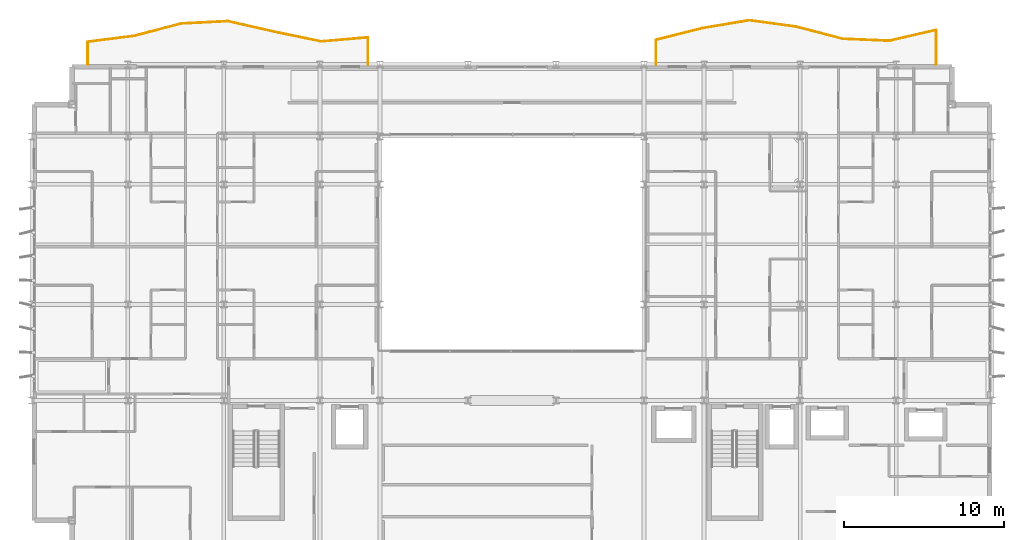
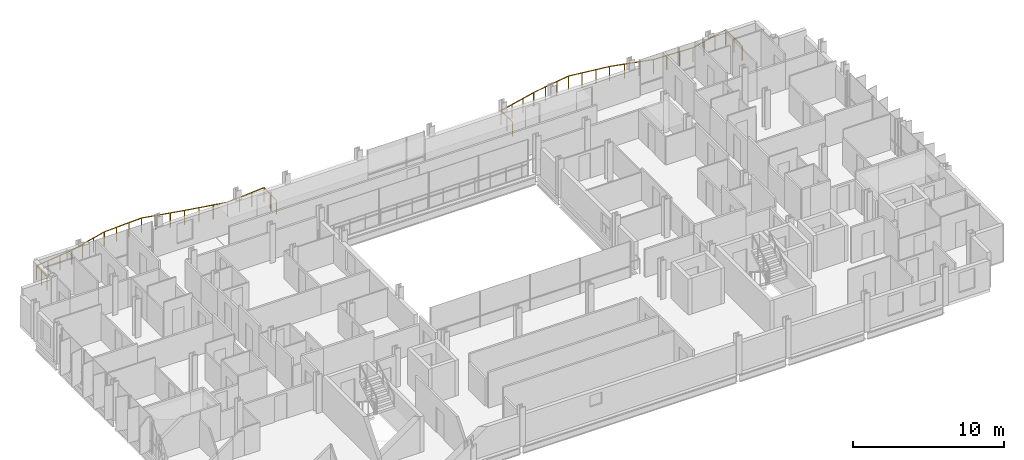
# One storey, part 39 of 39: 2 railings.
"""IFC4 building model written with IfcOpenShell, lengths in metres."""

from ifc_helpers import new_model, si_unit, direction, frame, origin, origin_2d, place, context, subcontext, project, spatial, circle, extrude, material, type_object, element, save


model = new_model("IFC4")

# Units and contexts
model_context = context("Model", 3, precision=1e-05, world=origin(), true_north=direction((0.0, 1.0)))
body_context = subcontext(model_context, "Body", "Model", "MODEL_VIEW")
ifc_project = project(units=[si_unit("LENGTHUNIT", "METRE"), si_unit("AREAUNIT", "SQUARE_METRE"), si_unit("VOLUMEUNIT", "CUBIC_METRE"), si_unit("PLANEANGLEUNIT", "RADIAN"), si_unit("MASSUNIT", "GRAM", prefix="KILO")], contexts=[model_context])

# Site, building, storey
site_placement = place(None, origin())
site = spatial("IfcSite", under=ifc_project, at=site_placement, CompositionType="ELEMENT")
building_placement = place(site_placement, origin())
building = spatial("IfcBuilding", under=site, at=building_placement, Name="Brevholm Reach", CompositionType="ELEMENT")
storey_placement = place(building_placement, frame((0.0, 0.0, 115.89990234375)))
storey = spatial("IfcBuildingStorey", under=building, at=storey_placement, Name="L34", CompositionType="ELEMENT", Elevation=115.89990234375)

# Railings
ifc_material = material(Name="Brushed Stainless Steel EN 1.4401 and Laminated Glass", Category="steel")
railing_type = type_object("IfcRailingType", Name="RAL-BALC-1150", PredefinedType="BALUSTRADE", material=ifc_material)
railing_1_placement = place(storey_placement, frame((56.5, 31.0, 0.0)))
element("IfcRailing", 1, at=railing_1_placement, inside=storey, type_object=railing_type, Name="L34 Guard Balustrade RAL-L34-BAL-NE", PredefinedType="BALUSTRADE", context=body_context, shape_type="SweptSolid", body=[
    extrude(circle(Radius=0.02392578125, at=origin_2d()), frame((0.0, 0.0, 1.1259765625), z_axis=(0.0, 1.0, 0.0), x_axis=(-1.0, 0.0, 0.0)), (0.0, 0.0, 1.0), 2.1455078125),
    extrude(circle(Radius=0.02392578125, at=origin_2d()), frame((0.0, 2.1455078125, 1.1259765625), z_axis=(-0.974086615793, -0.226175296912, 0.0), x_axis=(0.226175296912, -0.974086615793, 0.0)), (0.0, 0.0, 1.0), 2.994384765625),
    extrude(circle(Radius=0.02392578125, at=origin_2d()), frame((-2.916748046875, 1.46826171875, 1.1259765625), z_axis=(-0.999139150441, 0.041484431493, 0.0), x_axis=(-0.041484431493, -0.999139150441, 0.0)), (0.0, 0.0, 1.0), 2.9189453125),
    extrude(circle(Radius=0.02392578125, at=origin_2d()), frame((-5.833251953125, 1.58935546875, 1.1259765625), z_axis=(-0.967668860758, 0.252224058961, 0.0), x_axis=(-0.252224058961, -0.967668860758, 0.0)), (0.0, 0.0, 1.0), 3.01416015625),
    extrude(circle(Radius=0.02392578125, at=origin_2d()), frame((-8.75, 2.349609375, 1.1259765625), z_axis=(-0.990787222307, 0.135427767141, 0.0), x_axis=(-0.135427767141, -0.990787222307, 0.0)), (0.0, 0.0, 1.0), 2.94384765625),
    extrude(circle(Radius=0.02392578125, at=origin_2d()), frame((-11.666748046875, 2.748291015625, 1.1259765625), z_axis=(-0.986326897089, -0.164800643445, 0.0), x_axis=(0.164800643445, -0.986326897089, 0.0)), (0.0, 0.0, 1.0), 2.95703125),
    extrude(circle(Radius=0.02392578125, at=origin_2d()), frame((-14.583251953125, 2.260986328125, 1.1259765625), z_axis=(-0.969908046993, -0.243471518618, 0.0), x_axis=(0.243471518618, -0.969908046993, 0.0)), (0.0, 0.0, 1.0), 3.00732421875),
    extrude(circle(Radius=0.02392578125, at=origin_2d()), frame((-17.5, 1.52880859375, 1.1259765625), z_axis=(0.0, -1.0, 0.0), x_axis=(1.0, 0.0, 0.0)), (0.0, 0.0, 1.0), 1.52880859375),
    extrude(circle(Radius=0.02099609375, at=origin_2d()), origin(), (0.0, 0.0, 1.0), 1.101806640625),
    extrude(circle(Radius=0.02099609375, at=origin_2d()), frame((0.0, 1.07275390625, 0.0)), (0.0, 0.0, 1.0), 1.101806640625),
    extrude(circle(Radius=0.02099609375, at=origin_2d()), frame((0.0, 2.1455078125, 0.0)), (0.0, 0.0, 1.0), 1.101806640625),
    extrude(circle(Radius=0.02099609375, at=origin_2d()), frame((-0.97216796875, 1.919677734375, 0.0)), (0.0, 0.0, 1.0), 1.101806640625),
    extrude(circle(Radius=0.02099609375, at=origin_2d()), frame((-1.944580078125, 1.694091796875, 0.0)), (0.0, 0.0, 1.0), 1.101806640625),
    extrude(circle(Radius=0.02099609375, at=origin_2d()), frame((-2.916748046875, 1.46826171875, 0.0)), (0.0, 0.0, 1.0), 1.101806640625),
    extrude(circle(Radius=0.02099609375, at=origin_2d()), frame((-3.888916015625, 1.508544921875, 0.0)), (0.0, 0.0, 1.0), 1.101806640625),
    extrude(circle(Radius=0.02099609375, at=origin_2d()), frame((-4.861083984375, 1.549072265625, 0.0)), (0.0, 0.0, 1.0), 1.101806640625),
    extrude(circle(Radius=0.02099609375, at=origin_2d()), frame((-5.833251953125, 1.58935546875, 0.0)), (0.0, 0.0, 1.0), 1.101806640625),
    extrude(circle(Radius=0.02099609375, at=origin_2d()), frame((-6.805419921875, 1.8427734375, 0.0)), (0.0, 0.0, 1.0), 1.101806640625),
    extrude(circle(Radius=0.02099609375, at=origin_2d()), frame((-7.77783203125, 2.09619140625, 0.0)), (0.0, 0.0, 1.0), 1.101806640625),
    extrude(circle(Radius=0.02099609375, at=origin_2d()), frame((-8.75, 2.349609375, 0.0)), (0.0, 0.0, 1.0), 1.101806640625),
    extrude(circle(Radius=0.02099609375, at=origin_2d()), frame((-9.72216796875, 2.482421875, 0.0)), (0.0, 0.0, 1.0), 1.101806640625),
    extrude(circle(Radius=0.02099609375, at=origin_2d()), frame((-10.694580078125, 2.615478515625, 0.0)), (0.0, 0.0, 1.0), 1.101806640625),
    extrude(circle(Radius=0.02099609375, at=origin_2d()), frame((-11.666748046875, 2.748291015625, 0.0)), (0.0, 0.0, 1.0), 1.101806640625),
    extrude(circle(Radius=0.02099609375, at=origin_2d()), frame((-12.638916015625, 2.5859375, 0.0)), (0.0, 0.0, 1.0), 1.101806640625),
    extrude(circle(Radius=0.02099609375, at=origin_2d()), frame((-13.611083984375, 2.42333984375, 0.0)), (0.0, 0.0, 1.0), 1.101806640625),
    extrude(circle(Radius=0.02099609375, at=origin_2d()), frame((-14.583251953125, 2.260986328125, 0.0)), (0.0, 0.0, 1.0), 1.101806640625),
    extrude(circle(Radius=0.02099609375, at=origin_2d()), frame((-15.555419921875, 2.016845703125, 0.0)), (0.0, 0.0, 1.0), 1.101806640625),
    extrude(circle(Radius=0.02099609375, at=origin_2d()), frame((-16.52783203125, 1.77294921875, 0.0)), (0.0, 0.0, 1.0), 1.101806640625),
    extrude(circle(Radius=0.02099609375, at=origin_2d()), frame((-17.5, 1.52880859375, 0.0)), (0.0, 0.0, 1.0), 1.101806640625),
    extrude(circle(Radius=0.02099609375, at=origin_2d()), frame((-17.5, 0.764404296875, 0.0)), (0.0, 0.0, 1.0), 1.101806640625),
    extrude(circle(Radius=0.02099609375, at=origin_2d()), frame((-17.5, 0.0, 0.0)), (0.0, 0.0, 1.0), 1.101806640625),
])
railing_2_placement = place(storey_placement, frame((21.0, 31.0, 0.0)))
element("IfcRailing", 2, at=railing_2_placement, inside=storey, type_object=railing_type, Name="L34 Guard Balustrade RAL-L34-BAL-NW", PredefinedType="BALUSTRADE", context=body_context, shape_type="SweptSolid", body=[
    extrude(circle(Radius=0.02392578125, at=origin_2d()), frame((0.0, 0.0, 1.1259765625), z_axis=(0.0, 1.0, 0.0), x_axis=(-1.0, 0.0, 0.0)), (0.0, 0.0, 1.0), 1.67822265625),
    extrude(circle(Radius=0.02392578125, at=origin_2d()), frame((0.0, 1.67822265625, 1.1259765625), z_axis=(-0.996282713287, -0.086143805376, 0.0), x_axis=(0.086143805376, -0.996282713287, 0.0)), (0.0, 0.0, 1.0), 2.927734375),
    extrude(circle(Radius=0.02392578125, at=origin_2d()), frame((-2.916748046875, 1.426025390625, 1.1259765625), z_axis=(-0.979367411888, 0.202087784221, 0.0), x_axis=(-0.202087784221, -0.979367411888, 0.0)), (0.0, 0.0, 1.0), 2.97802734375),
    extrude(circle(Radius=0.02392578125, at=origin_2d()), frame((-5.833251953125, 2.02783203125, 1.1259765625), z_axis=(-0.975066268344, 0.221913884961, 0.0), x_axis=(-0.221913884961, -0.975066268344, 0.0)), (0.0, 0.0, 1.0), 2.991455078125),
    extrude(circle(Radius=0.02392578125, at=origin_2d()), frame((-8.75, 2.691650390625, 1.1259765625), z_axis=(-0.998720239463, -0.050575520622, 0.0), x_axis=(0.050575520622, -0.998720239463, 0.0)), (0.0, 0.0, 1.0), 2.92041015625),
    extrude(circle(Radius=0.02392578125, at=origin_2d()), frame((-11.666748046875, 2.5439453125, 1.1259765625), z_axis=(-0.967287116441, -0.253684123205, 0.0), x_axis=(0.253684123205, -0.967287116441, 0.0)), (0.0, 0.0, 1.0), 3.01513671875),
    extrude(circle(Radius=0.02392578125, at=origin_2d()), frame((-14.583251953125, 1.779052734375, 1.1259765625), z_axis=(-0.991825721968, -0.127599910828, 0.0), x_axis=(0.127599910828, -0.991825721968, 0.0)), (0.0, 0.0, 1.0), 2.940673828125),
    extrude(circle(Radius=0.02392578125, at=origin_2d()), frame((-17.5, 1.40380859375, 1.1259765625), z_axis=(0.0, -1.0, 0.0), x_axis=(1.0, 0.0, 0.0)), (0.0, 0.0, 1.0), 1.40380859375),
    extrude(circle(Radius=0.02099609375, at=origin_2d()), origin(), (0.0, 0.0, 1.0), 1.101806640625),
    extrude(circle(Radius=0.02099609375, at=origin_2d()), frame((0.0, 0.839111328125, 0.0)), (0.0, 0.0, 1.0), 1.101806640625),
    extrude(circle(Radius=0.02099609375, at=origin_2d()), frame((0.0, 1.67822265625, 0.0)), (0.0, 0.0, 1.0), 1.101806640625),
    extrude(circle(Radius=0.02099609375, at=origin_2d()), frame((-0.97216796875, 1.59423828125, 0.0)), (0.0, 0.0, 1.0), 1.101806640625),
    extrude(circle(Radius=0.02099609375, at=origin_2d()), frame((-1.944580078125, 1.510009765625, 0.0)), (0.0, 0.0, 1.0), 1.101806640625),
    extrude(circle(Radius=0.02099609375, at=origin_2d()), frame((-2.916748046875, 1.426025390625, 0.0)), (0.0, 0.0, 1.0), 1.101806640625),
    extrude(circle(Radius=0.02099609375, at=origin_2d()), frame((-3.888916015625, 1.626708984375, 0.0)), (0.0, 0.0, 1.0), 1.101806640625),
    extrude(circle(Radius=0.02099609375, at=origin_2d()), frame((-4.861083984375, 1.8271484375, 0.0)), (0.0, 0.0, 1.0), 1.101806640625),
    extrude(circle(Radius=0.02099609375, at=origin_2d()), frame((-5.833251953125, 2.02783203125, 0.0)), (0.0, 0.0, 1.0), 1.101806640625),
    extrude(circle(Radius=0.02099609375, at=origin_2d()), frame((-6.805419921875, 2.2490234375, 0.0)), (0.0, 0.0, 1.0), 1.101806640625),
    extrude(circle(Radius=0.02099609375, at=origin_2d()), frame((-7.77783203125, 2.470458984375, 0.0)), (0.0, 0.0, 1.0), 1.101806640625),
    extrude(circle(Radius=0.02099609375, at=origin_2d()), frame((-8.75, 2.691650390625, 0.0)), (0.0, 0.0, 1.0), 1.101806640625),
    extrude(circle(Radius=0.02099609375, at=origin_2d()), frame((-9.72216796875, 2.642333984375, 0.0)), (0.0, 0.0, 1.0), 1.101806640625),
    extrude(circle(Radius=0.02099609375, at=origin_2d()), frame((-10.694580078125, 2.59326171875, 0.0)), (0.0, 0.0, 1.0), 1.101806640625),
    extrude(circle(Radius=0.02099609375, at=origin_2d()), frame((-11.666748046875, 2.5439453125, 0.0)), (0.0, 0.0, 1.0), 1.101806640625),
    extrude(circle(Radius=0.02099609375, at=origin_2d()), frame((-12.638916015625, 2.2890625, 0.0)), (0.0, 0.0, 1.0), 1.101806640625),
    extrude(circle(Radius=0.02099609375, at=origin_2d()), frame((-13.611083984375, 2.033935546875, 0.0)), (0.0, 0.0, 1.0), 1.101806640625),
    extrude(circle(Radius=0.02099609375, at=origin_2d()), frame((-14.583251953125, 1.779052734375, 0.0)), (0.0, 0.0, 1.0), 1.101806640625),
    extrude(circle(Radius=0.02099609375, at=origin_2d()), frame((-15.555419921875, 1.654052734375, 0.0)), (0.0, 0.0, 1.0), 1.101806640625),
    extrude(circle(Radius=0.02099609375, at=origin_2d()), frame((-16.52783203125, 1.52880859375, 0.0)), (0.0, 0.0, 1.0), 1.101806640625),
    extrude(circle(Radius=0.02099609375, at=origin_2d()), frame((-17.5, 1.40380859375, 0.0)), (0.0, 0.0, 1.0), 1.101806640625),
    extrude(circle(Radius=0.02099609375, at=origin_2d()), frame((-17.5, 0.701904296875, 0.0)), (0.0, 0.0, 1.0), 1.101806640625),
    extrude(circle(Radius=0.02099609375, at=origin_2d()), frame((-17.5, 0.0, 0.0)), (0.0, 0.0, 1.0), 1.101806640625),
])

save(model, "model.ifc")
